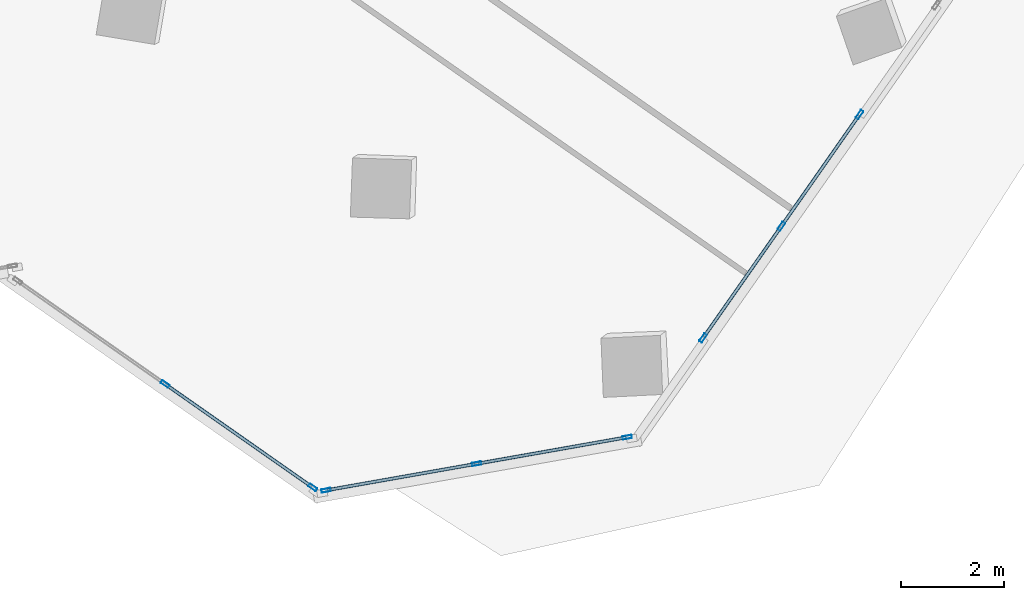
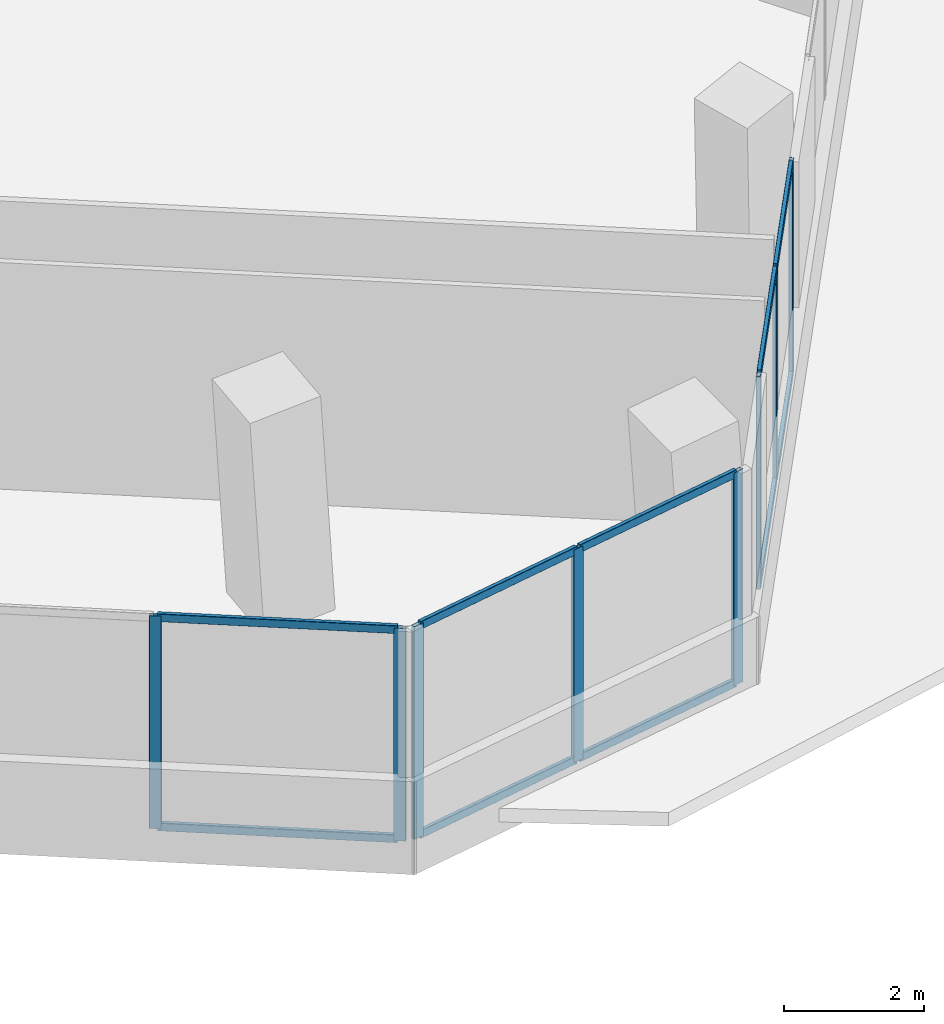
# One storey, part 9 of 22: 18 members, 3 elements without a shape of their own.
"""IFC4 building model written with IfcOpenShell, lengths in metres."""

import ifcopenshell
import ifcopenshell.guid

model = None  # the IFC model being written
_history = None  # IfcOwnerHistory: only IFC2X3 demands one
_inside = {}  # id of a spatial element -> (the spatial element, [elements in it])
_under = {}  # id of a project, library or spatial element -> (it, [spatial elements below it])
_declared = {}  # id of a project -> (the project, [libraries it declares])
_typed = {}  # id of a type object -> (the type object, [elements of that type])
_made_of = {}  # id of a material, layer set ... -> (it, [elements and type objects made of it])


def new_model(schema):
    """Start an empty IFC model of exactly this schema.

    Asked for "IFC4X3", IfcOpenShell would pick the latest addendum, in which some entities
    have other attributes; the version numbers below select the first issue.
    IFC2X3 requires an IfcOwnerHistory on every rooted entity: one is made here for all.
    """
    global model, _history
    if schema == "IFC4X3":
        model = ifcopenshell.file(schema_version=(4, 3, 0, 0))
    else:
        model = ifcopenshell.file(schema=schema)
    _inside.clear()
    _under.clear()
    _declared.clear()
    _typed.clear()
    _made_of.clear()
    _history = None
    if model.schema == "IFC2X3":
        org = make("IfcOrganization", Name="unknown")
        user = make(
            "IfcPersonAndOrganization",
            ThePerson=make("IfcPerson", FamilyName="unknown"),
            TheOrganization=org,
        )
        app = make(
            "IfcApplication",
            ApplicationDeveloper=org,
            Version="unknown",
            ApplicationFullName="unknown",
            ApplicationIdentifier="unknown",
        )
        _history = make(
            "IfcOwnerHistory",
            OwningUser=user,
            OwningApplication=app,
            ChangeAction="ADDED",
            CreationDate=0,
        )
    return model


def make(cls, **values):
    """One entity of the class cls with the attributes given. An attribute that is None is left unset."""
    return model.create_entity(
        cls, **{name: value for name, value in values.items() if value is not None}
    )


def rooted(cls, **values):
    """An entity with a GlobalId (a new one), such as an element, a storey or a relation."""
    return make(cls, GlobalId=ifcopenshell.guid.new(), OwnerHistory=_history, **values)


def si_unit(unit_type, name, prefix=None):
    """IfcSIUnit, for example si_unit("LENGTHUNIT", "METRE", prefix="MILLI")."""
    return make("IfcSIUnit", UnitType=unit_type, Prefix=prefix, Name=name)


def assignment(units):
    """IfcUnitAssignment: the units of a project."""
    return None if units is None else make("IfcUnitAssignment", Units=units)


def point(xyz):
    """IfcCartesianPoint."""
    return None if xyz is None else make("IfcCartesianPoint", Coordinates=xyz)


def direction(xyz):
    """IfcDirection."""
    return None if xyz is None else make("IfcDirection", DirectionRatios=xyz)


def frame(location, z_axis=None, x_axis=None):
    """IfcAxis2Placement3D, a coordinate frame: its origin and axes. An axis left out is left unset."""
    return make(
        "IfcAxis2Placement3D",
        Location=point(location),
        Axis=direction(z_axis),
        RefDirection=direction(x_axis),
    )


def frame_2d(location, x_axis=None):
    """IfcAxis2Placement2D, a coordinate frame in the plane: its origin and x axis."""
    return make(
        "IfcAxis2Placement2D", Location=point(location), RefDirection=direction(x_axis)
    )


def origin():
    """The frame at (0, 0, 0) with its axes left unset."""
    return frame((0.0, 0.0, 0.0))


def origin_2d():
    """The frame at (0, 0) in the plane with its x axis left unset."""
    return frame_2d((0.0, 0.0))


def place(relative_to, where):
    """IfcLocalPlacement: puts the frame where relative to a parent placement (None: the world)."""
    return make(
        "IfcLocalPlacement", PlacementRelTo=relative_to, RelativePlacement=where
    )


def context(
    kind, dimensions, precision=None, world=None, true_north=None, identifier=None
):
    """IfcGeometricRepresentationContext, for example the 3D "Model" context."""
    return make(
        "IfcGeometricRepresentationContext",
        ContextIdentifier=identifier,
        ContextType=kind,
        CoordinateSpaceDimension=dimensions,
        Precision=precision,
        WorldCoordinateSystem=world,
        TrueNorth=true_north,
    )


def subcontext(parent, identifier, kind, view, scale=None):
    """IfcGeometricRepresentationSubContext, for example "Body" below "Model"."""
    return make(
        "IfcGeometricRepresentationSubContext",
        ContextIdentifier=identifier,
        ContextType=kind,
        ParentContext=parent,
        TargetScale=scale,
        TargetView=view,
    )


def project(units=None, contexts=None):
    """IfcProject with its units and contexts."""
    return rooted(
        "IfcProject",
        Name="project",
        RepresentationContexts=contexts,
        UnitsInContext=assignment(units),
    )


def spatial(cls, under=None, at=None, **own):
    """A site, building, storey or space (cls), placed at a placement, below another one or the project."""
    s = rooted(cls, ObjectPlacement=at, **own)
    if under is not None:
        _under.setdefault(under.id(), (under, []))[1].append(s)
    return s


def profile(cls, at=None, kind="AREA", **sizes):
    """A parametric profile (cls). Its sizes go by their IFC names, for example OverallWidth=200.0."""
    return make(cls, ProfileType=kind, Position=at, **sizes)


def hollow_rectangle(**sizes):
    """IfcRectangleHollowProfileDef."""
    return profile("IfcRectangleHollowProfileDef", **sizes)


def extrude(swept, where, along, depth):
    """IfcExtrudedAreaSolid: the profile swept, set in the frame where, extruded along a direction by depth."""
    return make(
        "IfcExtrudedAreaSolid",
        SweptArea=swept,
        Position=where,
        ExtrudedDirection=direction(along),
        Depth=depth,
    )


def shape(context_of_items, identifier, shape_type, items):
    """IfcShapeRepresentation: the items that make up one representation, for example the "Body"."""
    return make(
        "IfcShapeRepresentation",
        ContextOfItems=context_of_items,
        RepresentationIdentifier=identifier,
        RepresentationType=shape_type,
        Items=items,
    )


def source(mapping_origin, context_of_items, identifier, shape_type, items):
    """IfcRepresentationMap: a shape defined once, which mapped items show again and again."""
    return make(
        "IfcRepresentationMap",
        MappingOrigin=mapping_origin,
        MappedRepresentation=shape(context_of_items, identifier, shape_type, items),
    )


def transform(
    local_origin,
    x_axis=None,
    y_axis=None,
    z_axis=None,
    scale=None,
    scale2=None,
    scale3=None,
    uniform=True,
):
    """IfcCartesianTransformationOperator3D, or its non-uniform kind. x_axis, y_axis, z_axis: its Axis1, 2, 3."""
    if uniform:
        return make(
            "IfcCartesianTransformationOperator3D",
            Axis1=direction(x_axis),
            Axis2=direction(y_axis),
            LocalOrigin=point(local_origin),
            Scale=scale,
            Axis3=direction(z_axis),
        )
    return make(
        "IfcCartesianTransformationOperator3DnonUniform",
        Axis1=direction(x_axis),
        Axis2=direction(y_axis),
        LocalOrigin=point(local_origin),
        Scale=scale,
        Axis3=direction(z_axis),
        Scale2=scale2,
        Scale3=scale3,
    )


def mapped(mapping_source, mapping_target):
    """IfcMappedItem: shows the shape of a source again, moved by a transform."""
    return make(
        "IfcMappedItem", MappingSource=mapping_source, MappingTarget=mapping_target
    )


def material(Name=None, Category=None):
    """IfcMaterial."""
    return make("IfcMaterial", Name=Name, Category=Category)


def material_profile(
    of_material, cross_section, Name=None, Category=None, Priority=None
):
    """IfcMaterialProfile: a cross section and its material."""
    return make(
        "IfcMaterialProfile",
        Name=Name,
        Material=of_material,
        Profile=cross_section,
        Priority=Priority,
        Category=Category,
    )


def profile_set(profiles, Name=None, composite=None):
    """IfcMaterialProfileSet."""
    return make(
        "IfcMaterialProfileSet",
        Name=Name,
        MaterialProfiles=profiles,
        CompositeProfile=composite,
    )


def made_of(thing, what):
    """Note that an element or type object is made of a material, layer set ...; save() writes the relation."""
    if what is not None:
        _made_of.setdefault(what.id(), (what, []))[1].append(thing)
    return thing


def type_object(cls, material=None, **own):
    """A type object (cls), such as IfcWallType, which elements share."""
    return made_of(rooted(cls, **own), material)


def element(
    cls,
    number,
    at=None,
    inside=None,
    cuts=None,
    type_object=None,
    material=None,
    context=None,
    identifier="Body",
    shape_type=None,
    held_by="IfcProductDefinitionShape",
    body=None,
    shapes=None,
    **own,
):
    """One element of the class cls, such as IfcWall. Its Tag is "e" and its number.

    at: its placement. inside: the storey or other place that contains it. cuts: it is an
    opening in that element (IfcRelVoidsElement). A single representation is given by context,
    identifier, shape_type and body (its items); several are given by shapes. held_by: the class
    of the entity that holds the representations. save() writes the other relations.
    """
    e = rooted(cls, Tag="e%d" % number, ObjectPlacement=at, **own)
    if body is not None:
        shapes = [shape(context, identifier, shape_type, body)]
    if shapes is not None:
        e.Representation = make(held_by, Representations=shapes)
    if inside is not None:
        _inside.setdefault(inside.id(), (inside, []))[1].append(e)
    if cuts is not None:
        rooted(
            "IfcRelVoidsElement", RelatingBuildingElement=cuts, RelatedOpeningElement=e
        )
    if type_object is not None:
        _typed.setdefault(type_object.id(), (type_object, []))[1].append(e)
    return made_of(e, material)


def aggregate(whole, parts):
    """IfcRelAggregates: a whole, such as a stair, and the parts it consists of."""
    return rooted("IfcRelAggregates", RelatingObject=whole, RelatedObjects=parts)


def save(model, path):
    """Write the relations noted so far, then the file.

    IfcRelAggregates (storeys below a building ...), IfcRelContainedInSpatialStructure (elements
    in a storey), IfcRelDefinesByType, IfcRelAssociatesMaterial and IfcRelDeclares: one each for
    every whole, place, type object, material and project.
    """
    for whole, parts in _under.values():
        aggregate(whole, parts)
    for where, things in _inside.values():
        rooted(
            "IfcRelContainedInSpatialStructure",
            RelatedElements=things,
            RelatingStructure=where,
        )
    for kind, things in _typed.values():
        rooted("IfcRelDefinesByType", RelatedObjects=things, RelatingType=kind)
    for what, things in _made_of.values():
        rooted("IfcRelAssociatesMaterial", RelatedObjects=things, RelatingMaterial=what)
    for by, libraries in _declared.values():
        rooted("IfcRelDeclares", RelatingContext=by, RelatedDefinitions=libraries)
    model.write(path)


model = new_model("IFC4")

# Units and contexts
model_context = context("Model", 3, precision=1e-05, world=origin(), true_north=direction((0.0, 1.0)))
body_context = subcontext(model_context, "Body", "Model", "MODEL_VIEW")
ifc_project = project(units=[si_unit("LENGTHUNIT", "METRE"), si_unit("AREAUNIT", "SQUARE_METRE"), si_unit("VOLUMEUNIT", "CUBIC_METRE"), si_unit("PLANEANGLEUNIT", "RADIAN"), si_unit("MASSUNIT", "GRAM", prefix="KILO")], contexts=[model_context])

# Site, building, storey
site_placement = place(None, origin())
site = spatial("IfcSite", under=ifc_project, at=site_placement, CompositionType="ELEMENT")
building_placement = place(site_placement, origin())
building = spatial("IfcBuilding", under=site, at=building_placement, Name="Torre Montelarca", CompositionType="ELEMENT")
storey_placement = place(building_placement, frame((0.0, 0.0, 196.0)))
storey = spatial("IfcBuildingStorey", under=building, at=storey_placement, Name="L44", CompositionType="ELEMENT", Elevation=196.0)

# Curtain wall, members
ifc_material_1 = material(Name="Insulated low-E laminated glass", Category="glass")
curtain_wall_type = type_object("IfcCurtainWallType", Name="CW-SYS-Z2", PredefinedType="USERDEFINED", material=ifc_material_1)
curtain_wall_1_placement = place(storey_placement, origin())
curtain_wall_1 = element("IfcCurtainWall", 1, at=curtain_wall_1_placement, inside=storey, type_object=curtain_wall_type, Name="L44 Curtain Wall Run CW-T3-L44-E05-B1", ObjectType="UNITISED GLAZING", PredefinedType="USERDEFINED")
ifc_material_2 = material(Name="Anodised aluminium AA 6063-T6", Category="aluminium")
ifc_material_profile_1 = material_profile(ifc_material_2, hollow_rectangle(XDim=0.06494140625, YDim=0.139892578125, WallThickness=0.00390625, InnerFilletRadius=0.00390625, OuterFilletRadius=0.008056640625, at=origin_2d()), Name="ALU65X140X4", Category="aluminium")
ifc_profile_set_1 = profile_set([ifc_material_profile_1], Name="Anodised aluminium AA 6063-T6")
member_type_1 = type_object("IfcMemberType", Name="CWT-ALU140", PredefinedType="USERDEFINED", material=ifc_profile_set_1)
shared_shape_1 = source(origin(), body_context, "Body", "SweptSolid", [
    extrude(hollow_rectangle(XDim=0.06494140625, YDim=0.139892578125, WallThickness=0.00390625, InnerFilletRadius=0.00390625, OuterFilletRadius=0.008056640625, at=origin_2d()), origin(), (0.0, 0.0, 1.0), 2.918701171875),
])
member_1_placement = place(storey_placement, frame((32.548095703125, 7.72900390625, 0.032470703125), z_axis=(0.984806287351, 0.173656489641, 0.0), x_axis=(-0.173656489641, 0.984806287351, 0.0)))
member_1 = element("IfcMember", 2, at=member_1_placement, type_object=member_type_1, Name="CW transom 1.1", ObjectType="TRANSOM", PredefinedType="USERDEFINED", context=body_context, shape_type="MappedRepresentation", body=[
    mapped(shared_shape_1, transform((0.0, 0.0, 0.0), scale=1.0)),
])
member_2_placement = place(storey_placement, frame((32.548095703125, 7.72900390625, 3.6875), z_axis=(0.984806287351, 0.173656489641, 0.0), x_axis=(-0.173656489641, 0.984806287351, 0.0)))
member_2 = element("IfcMember", 3, at=member_2_placement, type_object=member_type_1, Name="CW transom 1.2", ObjectType="TRANSOM", PredefinedType="USERDEFINED", context=body_context, shape_type="MappedRepresentation", body=[
    mapped(shared_shape_1, transform((0.0, 0.0, 0.0), scale=1.0)),
])
member_3_placement = place(storey_placement, frame((35.486328125, 8.2470703125, 0.032470703125), z_axis=(0.984806287351, 0.173656489641, 0.0), x_axis=(-0.173656489641, 0.984806287351, 0.0)))
member_3 = element("IfcMember", 4, at=member_3_placement, type_object=member_type_1, Name="CW transom 2.1", ObjectType="TRANSOM", PredefinedType="USERDEFINED", context=body_context, shape_type="MappedRepresentation", body=[
    mapped(shared_shape_1, transform((0.0, 0.0, 0.0), scale=1.0)),
])
member_4_placement = place(storey_placement, frame((35.486328125, 8.2470703125, 3.6875), z_axis=(0.984806287351, 0.173656489641, 0.0), x_axis=(-0.173656489641, 0.984806287351, 0.0)))
member_4 = element("IfcMember", 5, at=member_4_placement, type_object=member_type_1, Name="CW transom 2.2", ObjectType="TRANSOM", PredefinedType="USERDEFINED", context=body_context, shape_type="MappedRepresentation", body=[
    mapped(shared_shape_1, transform((0.0, 0.0, 0.0), scale=1.0)),
])

curtain_wall_2_placement = place(storey_placement, origin())
curtain_wall_2 = element("IfcCurtainWall", 6, at=curtain_wall_2_placement, inside=storey, type_object=curtain_wall_type, Name="L44 Curtain Wall Run CW-T3-L44-E04-B1", ObjectType="UNITISED GLAZING", PredefinedType="USERDEFINED")
ifc_material_profile_2 = material_profile(ifc_material_2, hollow_rectangle(XDim=0.06494140625, YDim=0.179931640625, WallThickness=0.00390625, InnerFilletRadius=0.00390625, OuterFilletRadius=0.008056640625, at=origin_2d()), Name="ALU65X180X4", Category="aluminium")
ifc_profile_set_2 = profile_set([ifc_material_profile_2], Name="Anodised aluminium AA 6063-T6")
member_type_2 = type_object("IfcMemberType", Name="CWM-ALU180", PredefinedType="MULLION", material=ifc_profile_set_2)
shared_shape_2 = source(origin(), body_context, "Body", "SweptSolid", [
    extrude(hollow_rectangle(XDim=0.06494140625, YDim=0.179931640625, WallThickness=0.00390625, InnerFilletRadius=0.00390625, OuterFilletRadius=0.008056640625, at=origin_2d()), origin(), (0.0, 0.0, 1.0), 3.719970703125),
])
member_5_placement = place(storey_placement, frame((29.377197265625, 9.79638671875, 0.0), z_axis=(0.0, 0.0, 1.0), x_axis=(0.57355791733, 0.819165011136, 0.0)))
member_5 = element("IfcMember", 7, at=member_5_placement, type_object=member_type_2, Name="CW mullion 2", PredefinedType="MULLION", context=body_context, shape_type="MappedRepresentation", body=[
    mapped(shared_shape_2, transform((0.0, 0.0, 0.0), scale=1.0)),
])
member_6_placement = place(storey_placement, frame((32.25537109375, 7.78125, 0.0), z_axis=(0.0, 0.0, 1.0), x_axis=(0.57355791733, 0.819165011136, 0.0)))
member_6 = element("IfcMember", 8, at=member_6_placement, type_object=member_type_2, Name="CW mullion 3", PredefinedType="MULLION", context=body_context, shape_type="MappedRepresentation", body=[
    mapped(shared_shape_2, transform((0.0, 0.0, 0.0), scale=1.0)),
])

# Member
member_7_placement = place(storey_placement, frame((32.51611328125, 7.723388671875, 0.0), z_axis=(0.0, 0.0, 1.0), x_axis=(-0.173634019333, 0.984810249404, 0.0)))
member_7 = element("IfcMember", 9, at=member_7_placement, type_object=member_type_2, Name="CW mullion 1", PredefinedType="MULLION", context=body_context, shape_type="MappedRepresentation", body=[
    mapped(shared_shape_2, transform((0.0, 0.0, 0.0), scale=1.0)),
])

member_8_placement = place(storey_placement, frame((35.454345703125, 8.241455078125, 0.0), z_axis=(0.0, 0.0, 1.0), x_axis=(-0.173634019333, 0.984810249404, 0.0)))
member_8 = element("IfcMember", 10, at=member_8_placement, type_object=member_type_2, Name="CW mullion 2", PredefinedType="MULLION", context=body_context, shape_type="MappedRepresentation", body=[
    mapped(shared_shape_2, transform((0.0, 0.0, 0.0), scale=1.0)),
])

member_9_placement = place(storey_placement, frame((38.392578125, 8.759521484375, 0.0), z_axis=(0.0, 0.0, 1.0), x_axis=(-0.173634019333, 0.984810249404, 0.0)))
member_9 = element("IfcMember", 11, at=member_9_placement, type_object=member_type_2, Name="CW mullion 3", PredefinedType="MULLION", context=body_context, shape_type="MappedRepresentation", body=[
    mapped(shared_shape_2, transform((0.0, 0.0, 0.0), scale=1.0)),
])

aggregate(curtain_wall_1, [member_7, member_8, member_9, member_1, member_2, member_3, member_4])

# Curtain wall, members
curtain_wall_3_placement = place(storey_placement, origin())
curtain_wall_3 = element("IfcCurtainWall", 12, at=curtain_wall_3_placement, inside=storey, type_object=curtain_wall_type, Name="L44 Curtain Wall Run CW-T3-L44-E06-B1", ObjectType="UNITISED GLAZING", PredefinedType="USERDEFINED")
member_10_placement = place(storey_placement, frame((39.87353515625, 10.696044921875, 0.0), z_axis=(0.0, 0.0, 1.0), x_axis=(-0.819158657557, 0.573566991509, 0.0)))
member_10 = element("IfcMember", 13, at=member_10_placement, type_object=member_type_2, Name="CW mullion 1", PredefinedType="MULLION", context=body_context, shape_type="MappedRepresentation", body=[
    mapped(shared_shape_2, transform((0.0, 0.0, 0.0), scale=1.0)),
])
member_11_placement = place(storey_placement, frame((41.399658203125, 12.8759765625, 0.0), z_axis=(0.0, 0.0, 1.0), x_axis=(-0.819158657557, 0.573566991509, 0.0)))
member_11 = element("IfcMember", 14, at=member_11_placement, type_object=member_type_2, Name="CW mullion 2", PredefinedType="MULLION", context=body_context, shape_type="MappedRepresentation", body=[
    mapped(shared_shape_2, transform((0.0, 0.0, 0.0), scale=1.0)),
])
member_12_placement = place(storey_placement, frame((42.926025390625, 15.0556640625, 0.0), z_axis=(0.0, 0.0, 1.0), x_axis=(-0.819158657557, 0.573566991509, 0.0)))
member_12 = element("IfcMember", 15, at=member_12_placement, type_object=member_type_2, Name="CW mullion 3", PredefinedType="MULLION", context=body_context, shape_type="MappedRepresentation", body=[
    mapped(shared_shape_2, transform((0.0, 0.0, 0.0), scale=1.0)),
])

# Member
shared_shape_3 = source(origin(), body_context, "Body", "SweptSolid", [
    extrude(hollow_rectangle(XDim=0.06494140625, YDim=0.139892578125, WallThickness=0.00390625, InnerFilletRadius=0.00390625, OuterFilletRadius=0.008056640625, at=origin_2d()), origin(), (0.0, 0.0, 1.0), 3.44873046875),
])
member_13_placement = place(storey_placement, frame((29.40380859375, 9.77783203125, 0.032470703125), z_axis=(0.819155417883, -0.573571618329, 0.0), x_axis=(0.573571618329, 0.819155417883, 0.0)))
member_13 = element("IfcMember", 16, at=member_13_placement, type_object=member_type_1, Name="CW transom 2.1", ObjectType="TRANSOM", PredefinedType="USERDEFINED", context=body_context, shape_type="MappedRepresentation", body=[
    mapped(shared_shape_3, transform((0.0, 0.0, 0.0), scale=1.0)),
])

member_14_placement = place(storey_placement, frame((29.40380859375, 9.77783203125, 3.6875), z_axis=(0.819155417883, -0.573571618329, 0.0), x_axis=(0.573571618329, 0.819155417883, 0.0)))
member_14 = element("IfcMember", 17, at=member_14_placement, type_object=member_type_1, Name="CW transom 2.2", ObjectType="TRANSOM", PredefinedType="USERDEFINED", context=body_context, shape_type="MappedRepresentation", body=[
    mapped(shared_shape_3, transform((0.0, 0.0, 0.0), scale=1.0)),
])

aggregate(curtain_wall_2, [member_5, member_6, member_13, member_14])

shared_shape_4 = source(origin(), body_context, "Body", "SweptSolid", [
    extrude(hollow_rectangle(XDim=0.06494140625, YDim=0.139892578125, WallThickness=0.00390625, InnerFilletRadius=0.00390625, OuterFilletRadius=0.008056640625, at=origin_2d()), origin(), (0.0, 0.0, 1.0), 2.59619140625),
])
member_15_placement = place(storey_placement, frame((39.89208984375, 10.72265625, 0.032470703125), z_axis=(0.573544389013, 0.819174483143, 0.0), x_axis=(-0.819174483143, 0.573544389013, 0.0)))
member_15 = element("IfcMember", 18, at=member_15_placement, type_object=member_type_1, Name="CW transom 1.1", ObjectType="TRANSOM", PredefinedType="USERDEFINED", context=body_context, shape_type="MappedRepresentation", body=[
    mapped(shared_shape_4, transform((0.0, 0.0, 0.0), scale=1.0)),
])

member_16_placement = place(storey_placement, frame((39.89208984375, 10.72265625, 3.6875), z_axis=(0.573544389013, 0.819174483143, 0.0), x_axis=(-0.819174483143, 0.573544389013, 0.0)))
member_16 = element("IfcMember", 19, at=member_16_placement, type_object=member_type_1, Name="CW transom 1.2", ObjectType="TRANSOM", PredefinedType="USERDEFINED", context=body_context, shape_type="MappedRepresentation", body=[
    mapped(shared_shape_4, transform((0.0, 0.0, 0.0), scale=1.0)),
])

shared_shape_5 = source(origin(), body_context, "Body", "SweptSolid", [
    extrude(hollow_rectangle(XDim=0.06494140625, YDim=0.139892578125, WallThickness=0.00390625, InnerFilletRadius=0.00390625, OuterFilletRadius=0.008056640625, at=origin_2d()), origin(), (0.0, 0.0, 1.0), 2.595703125),
])
member_17_placement = place(storey_placement, frame((41.41845703125, 12.902587890625, 0.032470703125), z_axis=(0.573525464409, 0.819187732864, 0.0), x_axis=(-0.819187732864, 0.573525464409, 0.0)))
member_17 = element("IfcMember", 20, at=member_17_placement, type_object=member_type_1, Name="CW transom 2.1", ObjectType="TRANSOM", PredefinedType="USERDEFINED", context=body_context, shape_type="MappedRepresentation", body=[
    mapped(shared_shape_5, transform((0.0, 0.0, 0.0), scale=1.0)),
])

member_18_placement = place(storey_placement, frame((41.41845703125, 12.902587890625, 3.6875), z_axis=(0.573525464409, 0.819187732864, 0.0), x_axis=(-0.819187732864, 0.573525464409, 0.0)))
member_18 = element("IfcMember", 21, at=member_18_placement, type_object=member_type_1, Name="CW transom 2.2", ObjectType="TRANSOM", PredefinedType="USERDEFINED", context=body_context, shape_type="MappedRepresentation", body=[
    mapped(shared_shape_5, transform((0.0, 0.0, 0.0), scale=1.0)),
])

aggregate(curtain_wall_3, [member_10, member_11, member_12, member_15, member_16, member_17, member_18])

save(model, "model.ifc")
